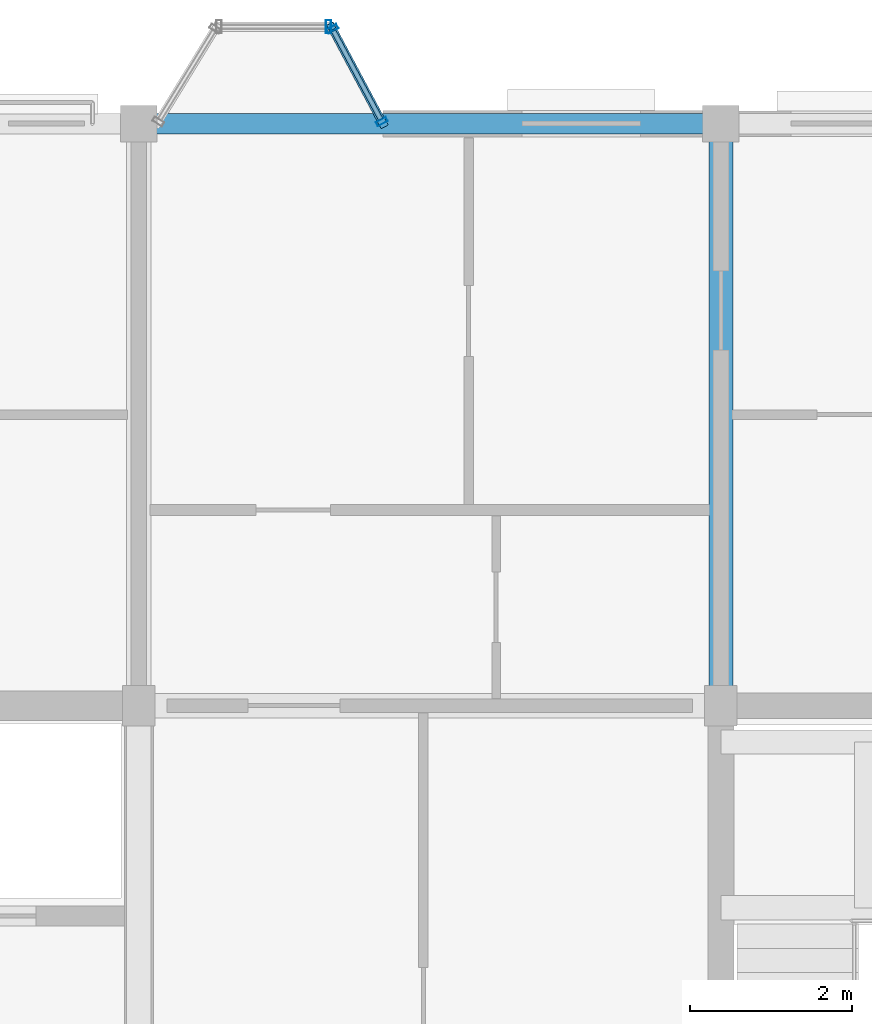
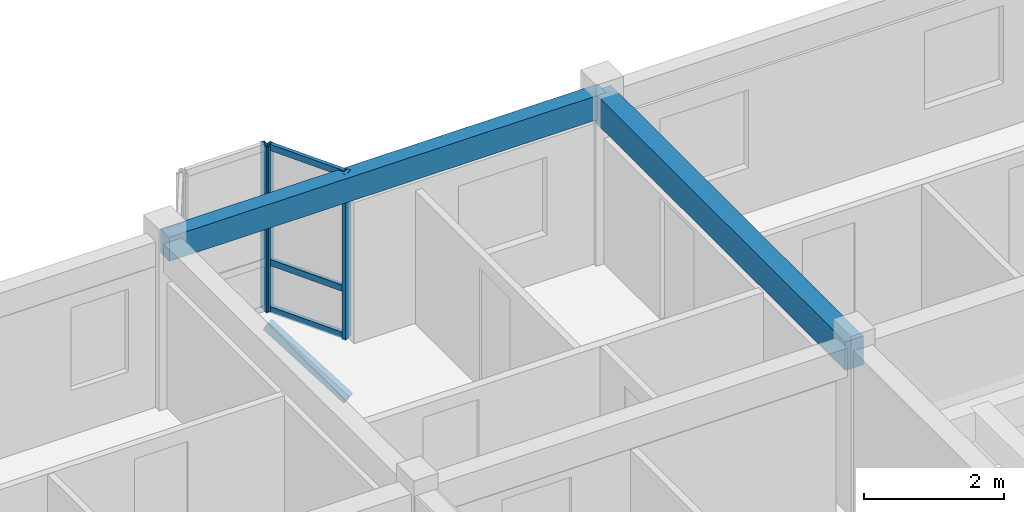
# One storey, part 12 of 28: 7 members, 2 beams, 2 elements without a shape of their own.
"""IFC4 building model written with IfcOpenShell, lengths in metres."""

from ifc_helpers import new_model, si_unit, direction, frame, origin, origin_2d, place, context, subcontext, project, spatial, rectangle, hollow_rectangle, extrude, material, layer, layer_set, material_profile, profile_set, type_object, element, aggregate, save


model = new_model("IFC4")

# Units and contexts
model_context = context("Model", 3, precision=1e-05, world=origin(), true_north=direction((0.0, 1.0)))
body_context = subcontext(model_context, "Body", "Model", "MODEL_VIEW")
ifc_project = project(units=[si_unit("LENGTHUNIT", "METRE"), si_unit("AREAUNIT", "SQUARE_METRE"), si_unit("VOLUMEUNIT", "CUBIC_METRE"), si_unit("PLANEANGLEUNIT", "RADIAN"), si_unit("MASSUNIT", "GRAM", prefix="KILO"), si_unit("THERMODYNAMICTEMPERATUREUNIT", "KELVIN"), si_unit("POWERUNIT", "WATT")], contexts=[model_context])

# Site, building, storey
site_placement = place(None, origin())
site = spatial("IfcSite", under=ifc_project, at=site_placement, CompositionType="ELEMENT")
building_placement = place(site_placement, origin())
building = spatial("IfcBuilding", under=site, at=building_placement, Name="Tavuni Mirador Residences", CompositionType="ELEMENT")
storey_placement = place(building_placement, frame((0.0, 0.0, 39.14990234375)))
storey = spatial("IfcBuildingStorey", under=building, at=storey_placement, Name="L12", CompositionType="ELEMENT", Elevation=39.14990234375)

# Beams
ifc_material_1 = material(Name="Precast concrete C40/50", Category="concrete")
ifc_material_profile_1 = material_profile(ifc_material_1, rectangle(XDim=0.300048828125, YDim=0.5, at=origin_2d()), Name="PC 300x500", Category="concrete")
ifc_profile_set_1 = profile_set([ifc_material_profile_1], Name="Precast concrete C40/50")
beam_type_1 = type_object("IfcBeamType", Name="BT-B500", PredefinedType="BEAM", material=ifc_profile_set_1)
beam_1_placement = place(storey_placement, frame((39.60009765625, 165.60009765625, 2.635009765625), z_axis=(0.0, 1.0, 0.0), x_axis=(-1.0, 0.0, 0.0)))
element("IfcBeam", 1, at=beam_1_placement, inside=storey, type_object=beam_type_1, Name="BMY-BLK-C-L12-03-02", PredefinedType="BEAM", context=body_context, shape_type="SweptSolid", body=[
    extrude(rectangle(XDim=0.300048828125, YDim=0.5, at=origin_2d()), origin(), (0.0, 0.0, 1.0), 7.199951171875),
])
ifc_material_profile_2 = material_profile(ifc_material_1, rectangle(XDim=0.25, YDim=0.419921875, at=origin_2d()), Name="PC 250x420", Category="concrete")
ifc_profile_set_2 = profile_set([ifc_material_profile_2], Name="Precast concrete C40/50")
beam_type_2 = type_object("IfcBeamType", Name="BT-SP420", PredefinedType="SPANDREL", material=ifc_profile_set_2)
beam_2_placement = place(storey_placement, frame((32.39990234375, 172.800048828125, 2.675048828125), z_axis=(1.0, 0.0, 0.0), x_axis=(0.0, 1.0, 0.0)))
element("IfcBeam", 2, at=beam_2_placement, inside=storey, type_object=beam_type_2, Name="BMX-BLK-C-L12-02-03", PredefinedType="SPANDREL", context=body_context, shape_type="SweptSolid", body=[
    extrude(rectangle(XDim=0.25, YDim=0.419921875, at=origin_2d()), origin(), (0.0, 0.0, 1.0), 7.2001953125),
])

# Curtain wall, members
ifc_material_2 = material(Name="Anodised aluminium", Category="aluminium")
ifc_layer_1 = layer(ifc_material_2, 0.1650390625, Name="Anodised aluminium", Category="aluminium")
ifc_layer_set_1 = layer_set([ifc_layer_1], Name="Anodised aluminium")
curtain_wall_type_1 = type_object("IfcCurtainWallType", Name="CWT-MIR-A", PredefinedType="NOTDEFINED", material=ifc_layer_set_1)
curtain_wall_1_placement = place(storey_placement, origin())
curtain_wall_1 = element("IfcCurtainWall", 3, at=curtain_wall_1_placement, inside=storey, type_object=curtain_wall_type_1, Name="CW-MIR-C-N2-L12-M1", PredefinedType="NOTDEFINED")
ifc_material_profile_3 = material_profile(ifc_material_2, hollow_rectangle(XDim=0.06005859375, YDim=0.139892578125, WallThickness=0.00390625, at=origin_2d()), Name="ALU 60x140x4.0", Category="aluminium")
ifc_profile_set_3 = profile_set([ifc_material_profile_3], Name="Anodised aluminium")
member_type_1 = type_object("IfcMemberType", Name="CWM-140", PredefinedType="MULLION", material=ifc_profile_set_3)
member_1_placement = place(storey_placement, frame((35.40576171875, 172.826416015625, 0.0), z_axis=(0.0, 0.0, 1.0), x_axis=(-0.470588235296, 0.882352941175, 0.0)))
member_1 = element("IfcMember", 4, at=member_1_placement, type_object=member_type_1, Name="CW-01 mullion 1", PredefinedType="MULLION", context=body_context, shape_type="SweptSolid", body=[
    extrude(hollow_rectangle(XDim=0.06005859375, YDim=0.139892578125, WallThickness=0.00390625, at=origin_2d()), origin(), (0.0, 0.0, 1.0), 2.885009765625),
])
member_2_placement = place(storey_placement, frame((34.794189453125, 173.9736328125, 0.0), z_axis=(0.0, 0.0, 1.0), x_axis=(-0.470588235296, 0.882352941175, 0.0)))
member_2 = element("IfcMember", 5, at=member_2_placement, type_object=member_type_1, Name="CW-01 mullion 2", PredefinedType="MULLION", context=body_context, shape_type="SweptSolid", body=[
    extrude(hollow_rectangle(XDim=0.06005859375, YDim=0.139892578125, WallThickness=0.00390625, at=origin_2d()), origin(), (0.0, 0.0, 1.0), 2.885009765625),
])

# Curtain wall, member
ifc_layer_2 = layer(ifc_material_2, 0.14990234375, Name="Anodised aluminium", Category="aluminium")
ifc_layer_set_2 = layer_set([ifc_layer_2], Name="Anodised aluminium")
curtain_wall_type_2 = type_object("IfcCurtainWallType", Name="CWT-MIR-B", PredefinedType="NOTDEFINED", material=ifc_layer_set_2)
curtain_wall_2_placement = place(storey_placement, origin())
curtain_wall_2 = element("IfcCurtainWall", 6, at=curtain_wall_2_placement, inside=storey, type_object=curtain_wall_type_2, Name="CW-MIR-C-N2-L12-MF", PredefinedType="NOTDEFINED")
ifc_material_profile_4 = material_profile(ifc_material_2, hollow_rectangle(XDim=0.06494140625, YDim=0.1650390625, WallThickness=0.00439453125, at=origin_2d()), Name="ALU 65x165x4.5", Category="aluminium")
ifc_profile_set_4 = profile_set([ifc_material_profile_4], Name="Anodised aluminium")
member_type_2 = type_object("IfcMemberType", Name="CWM-165", PredefinedType="MULLION", material=ifc_profile_set_4)
member_3_placement = place(storey_placement, frame((34.74755859375, 174.0, 0.0), z_axis=(0.0, 0.0, 1.0), x_axis=(-1.0, 0.0, 0.0)))
member_3 = element("IfcMember", 7, at=member_3_placement, type_object=member_type_2, Name="CW-02 mullion 1", PredefinedType="MULLION", context=body_context, shape_type="SweptSolid", body=[
    extrude(hollow_rectangle(XDim=0.06494140625, YDim=0.1650390625, WallThickness=0.00439453125, at=origin_2d()), origin(), (0.0, 0.0, 1.0), 2.885009765625),
])
aggregate(curtain_wall_2, [member_3])

# Member
ifc_material_profile_5 = material_profile(ifc_material_2, hollow_rectangle(XDim=0.06005859375, YDim=0.110107421875, WallThickness=0.00390625, at=origin_2d()), Name="ALU 60x110x4.0", Category="aluminium")
ifc_profile_set_5 = profile_set([ifc_material_profile_5], Name="Anodised aluminium")
member_type_3 = type_object("IfcMemberType", Name="CWT-110", PredefinedType="USERDEFINED", material=ifc_profile_set_5)
member_4_placement = place(storey_placement, frame((35.391845703125, 172.85302734375, 0.030029296875), z_axis=(-0.470608675382, 0.882342039492, 0.0), x_axis=(-0.882342039492, -0.470608675382, 0.0)))
member_4 = element("IfcMember", 8, at=member_4_placement, type_object=member_type_3, Name="CW-01 transom 1.1", ObjectType="TRANSOM", PredefinedType="USERDEFINED", context=body_context, shape_type="SweptSolid", body=[
    extrude(hollow_rectangle(XDim=0.06005859375, YDim=0.110107421875, WallThickness=0.00390625, at=origin_2d()), origin(), (0.0, 0.0, 1.0), 1.239990234375),
])

member_5_placement = place(storey_placement, frame((35.391845703125, 172.85302734375, 0.85009765625), z_axis=(-0.470608675382, 0.882342039492, 0.0), x_axis=(-0.882342039492, -0.470608675382, 0.0)))
member_5 = element("IfcMember", 9, at=member_5_placement, type_object=member_type_3, Name="CW-01 transom 1.2", ObjectType="TRANSOM", PredefinedType="USERDEFINED", context=body_context, shape_type="SweptSolid", body=[
    extrude(hollow_rectangle(XDim=0.06005859375, YDim=0.110107421875, WallThickness=0.00390625, at=origin_2d()), origin(), (0.0, 0.0, 1.0), 1.239990234375),
])

member_6_placement = place(storey_placement, frame((35.391845703125, 172.85302734375, 2.85498046875), z_axis=(-0.470608675382, 0.882342039492, 0.0), x_axis=(-0.882342039492, -0.470608675382, 0.0)))
member_6 = element("IfcMember", 10, at=member_6_placement, type_object=member_type_3, Name="CW-01 transom 1.3", ObjectType="TRANSOM", PredefinedType="USERDEFINED", context=body_context, shape_type="SweptSolid", body=[
    extrude(hollow_rectangle(XDim=0.06005859375, YDim=0.110107421875, WallThickness=0.00390625, at=origin_2d()), origin(), (0.0, 0.0, 1.0), 1.239990234375),
])

aggregate(curtain_wall_1, [member_1, member_2, member_4, member_5, member_6])

ifc_material_3 = material(Name="Structural steel S355", Category="steel")
ifc_material_profile_6 = material_profile(ifc_material_3, hollow_rectangle(XDim=0.10009765625, YDim=0.179931640625, WallThickness=0.008056640625, at=origin_2d()), Name="RHS 180x100x8.0", Category="steel")
ifc_profile_set_6 = profile_set([ifc_material_profile_6], Name="Structural steel S355")
member_type_4 = type_object("IfcMemberType", Name="MT-BR-RHS180", PredefinedType="BRACE", material=ifc_profile_set_6)
member_7_placement = place(storey_placement, frame((35.419921875, 172.800048828125, -1.0498046875), z_axis=(-0.407530885562, 0.764217589674, 0.499890040855), x_axis=(-0.882377788047, -0.47054164445, 0.0)))
element("IfcMember", 11, at=member_7_placement, inside=storey, type_object=member_type_4, Name="MBRK-MIR-C-N2-L12-2", PredefinedType="BRACE", context=body_context, shape_type="SweptSolid", body=[
    extrude(hollow_rectangle(XDim=0.10009765625, YDim=0.179931640625, WallThickness=0.008056640625, at=origin_2d()), origin(), (0.0, 0.0, 1.0), 1.570068359375),
])

save(model, "model.ifc")
